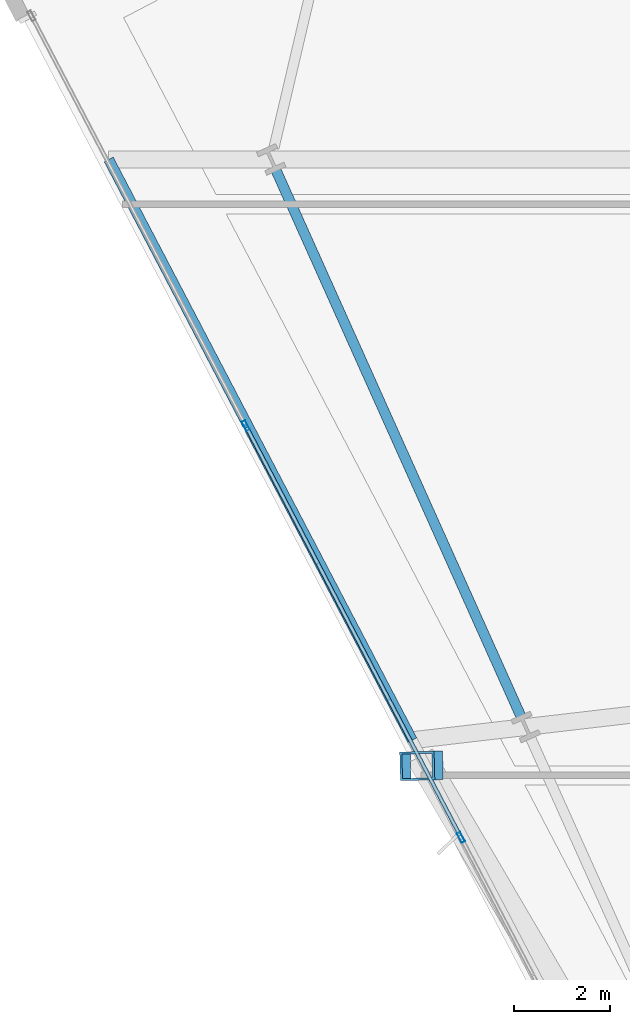
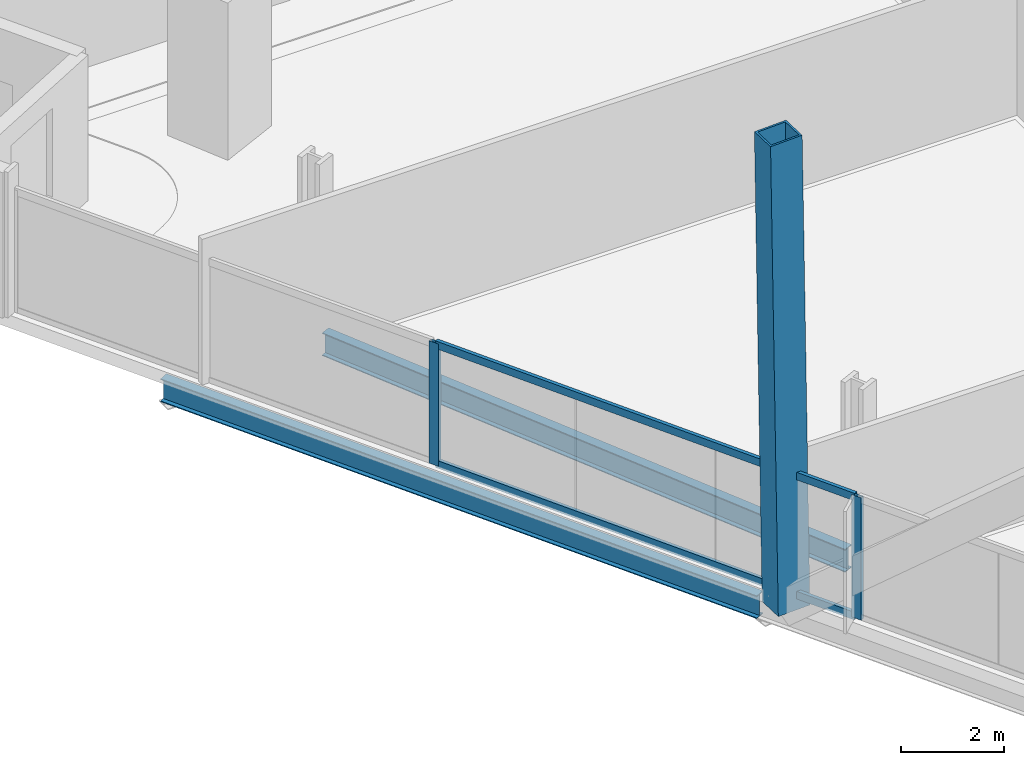
# One storey, part 5 of 33: 5 members, 2 beams, 1 element without a shape of its own.
"""IFC4 building model written with IfcOpenShell, lengths in metres."""

from ifc_helpers import new_model, si_unit, direction, frame, origin, origin_2d, place, context, subcontext, project, spatial, hollow_rectangle, i_section, extrude, material, material_profile, profile_set, type_object, element, aggregate, save


model = new_model("IFC4")

# Units and contexts
model_context = context("Model", 3, precision=1e-05, world=origin(), true_north=direction((0.0, 1.0)))
body_context = subcontext(model_context, "Body", "Model", "MODEL_VIEW")
ifc_project = project(units=[si_unit("LENGTHUNIT", "METRE"), si_unit("AREAUNIT", "SQUARE_METRE"), si_unit("VOLUMEUNIT", "CUBIC_METRE"), si_unit("PLANEANGLEUNIT", "RADIAN"), si_unit("MASSUNIT", "GRAM", prefix="KILO")], contexts=[model_context])

# Site, building, storey
site_placement = place(None, origin())
site = spatial("IfcSite", under=ifc_project, at=site_placement, CompositionType="ELEMENT")
building_placement = place(site_placement, origin())
building = spatial("IfcBuilding", under=site, at=building_placement, Name="Haldenkirk Collegiate Tower", CompositionType="ELEMENT")
storey_placement = place(building_placement, frame((0.0, 0.0, 120.449951171875)))
storey = spatial("IfcBuildingStorey", under=building, at=storey_placement, Name="L29", CompositionType="ELEMENT", Elevation=120.449951171875)

# Beams
ifc_material_1 = material(Name="Steel ASTM A992 Grade 50", Category="steel")
ifc_material_profile_1 = material_profile(ifc_material_1, i_section(OverallWidth=0.2119140625, OverallDepth=0.5439453125, WebThickness=0.01318359375, FlangeThickness=0.021240234375, at=origin_2d()), Name="W21X83")
ifc_profile_set_1 = profile_set([ifc_material_profile_1], Name="Steel ASTM A992 Grade 50")
beam_type = type_object("IfcBeamType", Name="BM-SPANDREL-W21X83", PredefinedType="SPANDREL", material=ifc_profile_set_1)
beam_1_placement = place(storey_placement, frame((9.418212890625, 28.212890625, -0.572021484375), z_axis=(0.409115233697, -0.912482726169, 0.0), x_axis=(0.912482726169, 0.409115233697, 0.0)))
element("IfcBeam", 1, at=beam_1_placement, inside=storey, type_object=beam_type, Name="L29 perimeter spandrel beam 14", PredefinedType="SPANDREL", context=body_context, shape_type="SweptSolid", body=[
    extrude(i_section(OverallWidth=0.2119140625, OverallDepth=0.5439453125, WebThickness=0.01318359375, FlangeThickness=0.021240234375, at=origin_2d()), origin(), (0.0, 0.0, 1.0), 12.524169921875),
])
beam_2_placement = place(storey_placement, frame((5.917724609375, 28.436767578125, -0.572021484375), z_axis=(0.463299654466, -0.886201687074, 0.0), x_axis=(0.886201687074, 0.463299654466, 0.0)))
element("IfcBeam", 2, at=beam_2_placement, inside=storey, type_object=beam_type, Name="L29 outer facade edge beam 4A", PredefinedType="SPANDREL", context=body_context, shape_type="SweptSolid", body=[
    extrude(i_section(OverallWidth=0.2119140625, OverallDepth=0.5439453125, WebThickness=0.01318359375, FlangeThickness=0.021240234375, at=origin_2d()), origin(), (0.0, 0.0, 1.0), 13.712646484375),
])

# Curtain wall, members
ifc_material_2 = material(Name="Anodised architectural bronze aluminium", Category="aluminium")
curtain_wall_type = type_object("IfcCurtainWallType", Name="CW-SYS1-CONVEX-LOW", PredefinedType="USERDEFINED", material=ifc_material_2)
curtain_wall_placement = place(storey_placement, origin())
curtain_wall = element("IfcCurtainWall", 3, at=curtain_wall_placement, inside=storey, type_object=curtain_wall_type, Name="L29 Lower tower convex bronze-framed unitised curtain wall", ObjectType="UNITISED CURTAIN WALL", PredefinedType="USERDEFINED")
ifc_material_profile_2 = material_profile(ifc_material_2, hollow_rectangle(XDim=0.080078125, YDim=0.219970703125, WallThickness=0.0048828125, at=origin_2d()), Name="CW-MUL-1A")
ifc_profile_set_2 = profile_set([ifc_material_profile_2], Name="Anodised architectural bronze aluminium")
member_type_1 = type_object("IfcMemberType", Name="CW-MUL-1A", PredefinedType="MULLION", material=ifc_profile_set_2)
member_1_placement = place(storey_placement, frame((13.28759765625, 14.253173828125, 0.0), z_axis=(0.0, 0.0, 1.0), x_axis=(-0.8862046336, -0.463294018292, 0.0)))
member_1 = element("IfcMember", 4, at=member_1_placement, type_object=member_type_1, Name="CW-1A mullion 3", PredefinedType="MULLION", context=body_context, shape_type="SweptSolid", body=[
    extrude(hollow_rectangle(XDim=0.080078125, YDim=0.219970703125, WallThickness=0.0048828125, at=origin_2d()), origin(), (0.0, 0.0, 1.0), 2.901123046875),
])
member_2_placement = place(storey_placement, frame((8.784912109375, 22.865966796875, 0.0), z_axis=(0.0, 0.0, 1.0), x_axis=(-0.8862046336, -0.463294018292, 0.0)))
member_2 = element("IfcMember", 5, at=member_2_placement, type_object=member_type_1, Name="CW-1A mullion 4", PredefinedType="MULLION", context=body_context, shape_type="SweptSolid", body=[
    extrude(hollow_rectangle(XDim=0.080078125, YDim=0.219970703125, WallThickness=0.0048828125, at=origin_2d()), origin(), (0.0, 0.0, 1.0), 2.901123046875),
])
ifc_material_profile_3 = material_profile(ifc_material_2, hollow_rectangle(XDim=0.080078125, YDim=0.179931640625, WallThickness=0.0048828125, at=origin_2d()), Name="CW-TRN-1A")
ifc_profile_set_3 = profile_set([ifc_material_profile_3], Name="Anodised architectural bronze aluminium")
member_type_2 = type_object("IfcMemberType", Name="CW-TRN-1A", PredefinedType="USERDEFINED", material=ifc_profile_set_3)
member_3_placement = place(storey_placement, frame((13.26904296875, 14.288818359375, 0.0400390625), z_axis=(-0.46330077788, 0.88620109976, 0.0), x_axis=(-0.88620109976, -0.46330077788, 0.0)))
member_3 = element("IfcMember", 6, at=member_3_placement, type_object=member_type_2, Name="CW-1A transom 3.1", ObjectType="TRANSOM", PredefinedType="USERDEFINED", context=body_context, shape_type="SweptSolid", body=[
    extrude(hollow_rectangle(XDim=0.080078125, YDim=0.179931640625, WallThickness=0.0048828125, at=origin_2d()), origin(), (0.0, 0.0, 1.0), 9.638671875),
])
member_4_placement = place(storey_placement, frame((13.26904296875, 14.288818359375, 2.861083984375), z_axis=(-0.46330077788, 0.88620109976, 0.0), x_axis=(-0.88620109976, -0.46330077788, 0.0)))
member_4 = element("IfcMember", 7, at=member_4_placement, type_object=member_type_2, Name="CW-1A transom 3.2", ObjectType="TRANSOM", PredefinedType="USERDEFINED", context=body_context, shape_type="SweptSolid", body=[
    extrude(hollow_rectangle(XDim=0.080078125, YDim=0.179931640625, WallThickness=0.0048828125, at=origin_2d()), origin(), (0.0, 0.0, 1.0), 9.638671875),
])
aggregate(curtain_wall, [member_1, member_2, member_3, member_4])

# Member
ifc_material_3 = material(Name="Steel ASTM A572 Grade 50", Category="steel")
ifc_material_profile_4 = material_profile(ifc_material_3, hollow_rectangle(XDim=0.60009765625, YDim=0.719970703125, WallThickness=0.044921875, at=origin_2d()), Name="BOX720X600X45")
ifc_profile_set_4 = profile_set([ifc_material_profile_4], Name="Steel ASTM A572 Grade 50")
member_type_3 = type_object("IfcMemberType", Name="MBR-MEGABRACE-BOX720X600X45", PredefinedType="BRACE", material=ifc_profile_set_4)
member_5_placement = place(storey_placement, frame((12.549560546875, 15.751220703125, -0.31005859375), z_axis=(-0.015736126508, -0.000414108592, 0.999876093742), x_axis=(0.026306682088, -0.999653919353, 0.0)))
element("IfcMember", 8, at=member_5_placement, inside=storey, type_object=member_type_3, Name="Perimeter Mega Brace Z2 L29-L31 WL", PredefinedType="BRACE", context=body_context, shape_type="SweptSolid", body=[
    extrude(hollow_rectangle(XDim=0.60009765625, YDim=0.719970703125, WallThickness=0.044921875, at=origin_2d()), origin(), (0.0, 0.0, 1.0), 11.20166015625),
])

save(model, "model.ifc")
